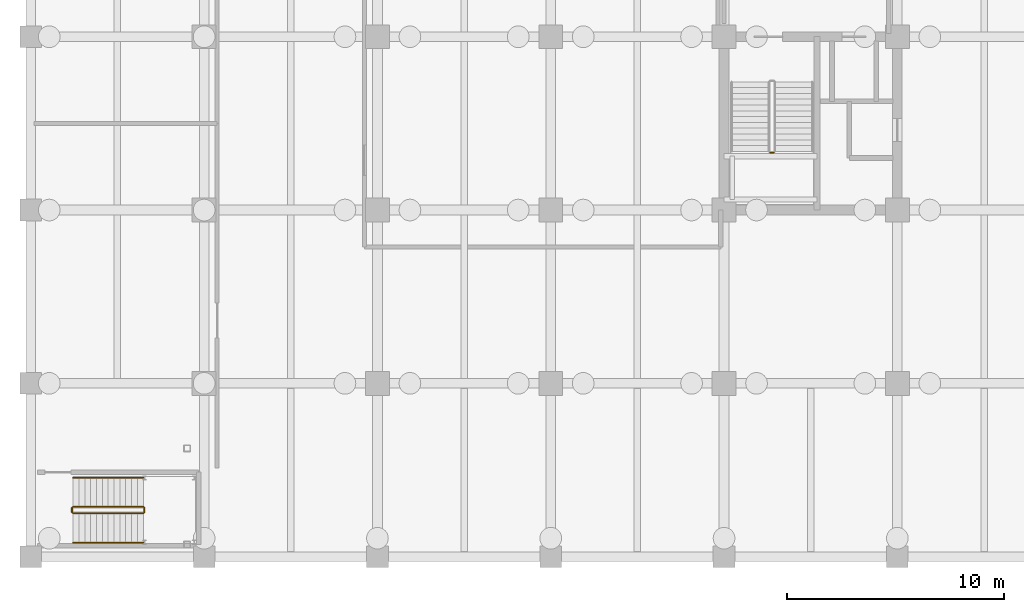
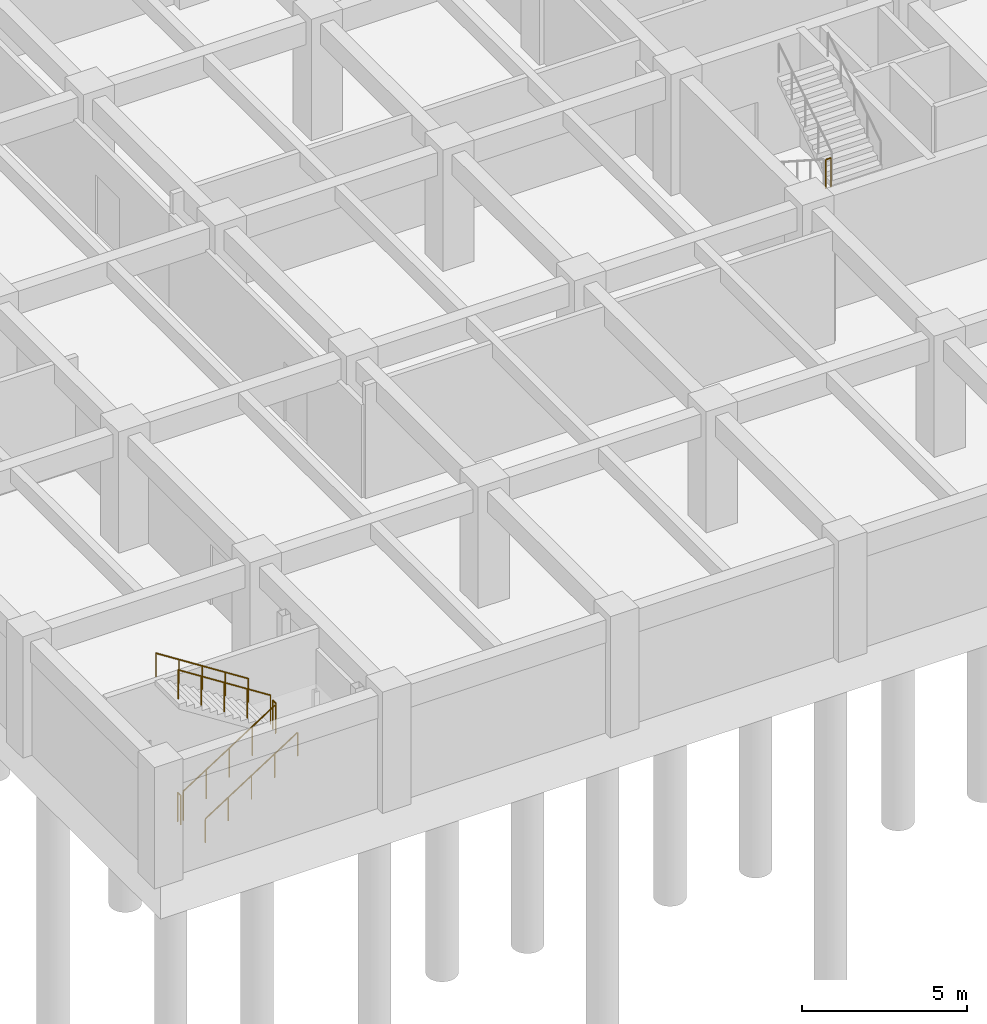
# One storey, part 12 of 15: 7 railings.
"""IFC4 building model written with IfcOpenShell, lengths in metres."""

from ifc_helpers import new_model, si_unit, direction, frame, origin, origin_2d, place, context, subcontext, project, spatial, circle, extrude, material, type_object, element, save


model = new_model("IFC4")

# Units and contexts
model_context = context("Model", 3, precision=1e-05, world=origin(), true_north=direction((0.0, 1.0)))
body_context = subcontext(model_context, "Body", "Model", "MODEL_VIEW")
ifc_project = project(units=[si_unit("LENGTHUNIT", "METRE"), si_unit("AREAUNIT", "SQUARE_METRE"), si_unit("VOLUMEUNIT", "CUBIC_METRE"), si_unit("PLANEANGLEUNIT", "RADIAN"), si_unit("MASSUNIT", "GRAM", prefix="KILO")], contexts=[model_context])

# Site, building, storey
site_placement = place(None, origin())
site = spatial("IfcSite", under=ifc_project, at=site_placement, CompositionType="ELEMENT")
building_placement = place(site_placement, origin())
building = spatial("IfcBuilding", under=site, at=building_placement, Name="Canggui Botanical Conservatory", CompositionType="ELEMENT")
storey_placement = place(building_placement, frame((0.0, 0.0, -9.0)))
storey = spatial("IfcBuildingStorey", under=building, at=storey_placement, Name="B2", CompositionType="ELEMENT", Elevation=-9.0)

# Railings
ifc_material = material(Name="Stainless Steel 304", Category="steel")
railing_type_1 = type_object("IfcRailingType", Name="RAIL-GUARD-1100", PredefinedType="BALUSTRADE", material=ifc_material)
railing_1_placement = place(storey_placement, frame((156.1201171875, 44.654052734375, 2.25)))
element("IfcRailing", 1, at=railing_1_placement, inside=storey, type_object=railing_type_1, Name="B2 ST-T1 stair guard 2", PredefinedType="BALUSTRADE", context=body_context, shape_type="SweptSolid", body=[
    extrude(circle(Radius=0.02392578125, at=origin_2d()), frame((0.0, 0.0, 1.076171875), z_axis=(1.0, 0.0, 0.0), x_axis=(0.0, 1.0, 0.0)), (0.0, 0.0, 1.0), 0.179931640625),
    extrude(circle(Radius=0.02099609375, at=origin_2d()), origin(), (0.0, 0.0, 1.0), 1.052001953125),
    extrude(circle(Radius=0.02099609375, at=origin_2d()), frame((0.179931640625, 0.0, 0.0)), (0.0, 0.0, 1.0), 1.052001953125),
])
railing_2_placement = place(storey_placement, frame((123.949951171875, 28.0, 0.173095703125)))
element("IfcRailing", 2, at=railing_2_placement, inside=storey, type_object=railing_type_1, Name="B2 ST-G1 stair guard 1", PredefinedType="BALUSTRADE", context=body_context, shape_type="SweptSolid", body=[
    extrude(circle(Radius=0.02392578125, at=origin_2d()), frame((0.0, 0.0, 1.076171875), z_axis=(0.841880617004, 0.0, 0.539663808971), x_axis=(0.0, 1.0, 0.0)), (0.0, 0.0, 1.0), 3.8486328125),
    extrude(circle(Radius=0.02099609375, at=origin_2d()), origin(), (0.0, 0.0, 1.0), 1.052001953125),
    extrude(circle(Radius=0.02099609375, at=origin_2d()), frame((0.81005859375, 0.0, 0.519287109375)), (0.0, 0.0, 1.0), 1.052001953125),
    extrude(circle(Radius=0.02099609375, at=origin_2d()), frame((1.6201171875, 0.0, 1.03857421875)), (0.0, 0.0, 1.0), 1.052001953125),
    extrude(circle(Radius=0.02099609375, at=origin_2d()), frame((2.429931640625, 0.0, 1.5576171875)), (0.0, 0.0, 1.0), 1.052001953125),
    extrude(circle(Radius=0.02099609375, at=origin_2d()), frame((3.239990234375, 0.0, 2.076904296875)), (0.0, 0.0, 1.0), 1.052001953125),
])
railing_3_placement = place(storey_placement, frame((127.239990234375, 28.050048828125, 2.25)))
element("IfcRailing", 3, at=railing_3_placement, inside=storey, type_object=railing_type_1, Name="B2 ST-G1 stair guard 2", PredefinedType="BALUSTRADE", context=body_context, shape_type="SweptSolid", body=[
    extrude(circle(Radius=0.02392578125, at=origin_2d()), frame((0.0, 0.0, 1.076171875), z_axis=(0.0, 1.0, 0.0), x_axis=(-1.0, 0.0, 0.0)), (0.0, 0.0, 1.0), 0.199951171875),
    extrude(circle(Radius=0.02099609375, at=origin_2d()), origin(), (0.0, 0.0, 1.0), 1.052001953125),
    extrude(circle(Radius=0.02099609375, at=origin_2d()), frame((0.0, 0.199951171875, 0.0)), (0.0, 0.0, 1.0), 1.052001953125),
])
railing_4_placement = place(storey_placement, frame((127.18994140625, 28.300048828125, 2.423095703125)))
element("IfcRailing", 4, at=railing_4_placement, inside=storey, type_object=railing_type_1, Name="B2 ST-G1 stair guard 3", PredefinedType="BALUSTRADE", context=body_context, shape_type="SweptSolid", body=[
    extrude(circle(Radius=0.02392578125, at=origin_2d()), frame((0.0, 0.0, 1.076171875), z_axis=(-0.841880617004, 0.0, 0.539663808971), x_axis=(0.0, -1.0, 0.0)), (0.0, 0.0, 1.0), 3.8486328125),
    extrude(circle(Radius=0.02099609375, at=origin_2d()), origin(), (0.0, 0.0, 1.0), 1.052001953125),
    extrude(circle(Radius=0.02099609375, at=origin_2d()), frame((-0.81005859375, 0.0, 0.519287109375)), (0.0, 0.0, 1.0), 1.052001953125),
    extrude(circle(Radius=0.02099609375, at=origin_2d()), frame((-1.6201171875, 0.0, 1.03857421875)), (0.0, 0.0, 1.0), 1.052001953125),
    extrude(circle(Radius=0.02099609375, at=origin_2d()), frame((-2.429931640625, 0.0, 1.5576171875)), (0.0, 0.0, 1.0), 1.052001953125),
    extrude(circle(Radius=0.02099609375, at=origin_2d()), frame((-3.239990234375, 0.0, 2.076904296875)), (0.0, 0.0, 1.0), 1.052001953125),
])
railing_5_placement = place(storey_placement, frame((123.89990234375, 28.050048828125, 0.0)))
element("IfcRailing", 5, at=railing_5_placement, inside=storey, type_object=railing_type_1, Name="B2 ST-G1 stair guard 4", PredefinedType="BALUSTRADE", context=body_context, shape_type="SweptSolid", body=[
    extrude(circle(Radius=0.02392578125, at=origin_2d()), frame((0.0, 0.0, 1.076171875), z_axis=(0.0, 1.0, 0.0), x_axis=(-1.0, 0.0, 0.0)), (0.0, 0.0, 1.0), 0.199951171875),
    extrude(circle(Radius=0.02099609375, at=origin_2d()), origin(), (0.0, 0.0, 1.0), 1.052001953125),
    extrude(circle(Radius=0.02099609375, at=origin_2d()), frame((0.0, 0.199951171875, 0.0)), (0.0, 0.0, 1.0), 1.052001953125),
])
railing_type_2 = type_object("IfcRailingType", Name="RAIL-HAND-900", PredefinedType="HANDRAIL", material=ifc_material)
railing_6_placement = place(storey_placement, frame((123.949951171875, 26.64990234375, 0.173095703125)))
element("IfcRailing", 6, at=railing_6_placement, inside=storey, type_object=railing_type_2, Name="B2 ST-G1 stair handrail 1", PredefinedType="HANDRAIL", context=body_context, shape_type="SweptSolid", body=[
    extrude(circle(Radius=0.02392578125, at=origin_2d()), frame((0.0, 0.0, 0.8759765625), z_axis=(0.841880617004, 0.0, 0.539663808971), x_axis=(0.0, 1.0, 0.0)), (0.0, 0.0, 1.0), 3.8486328125),
    extrude(circle(Radius=0.02099609375, at=origin_2d()), origin(), (0.0, 0.0, 1.0), 0.851806640625),
    extrude(circle(Radius=0.02099609375, at=origin_2d()), frame((0.81005859375, 0.0, 0.519287109375)), (0.0, 0.0, 1.0), 0.851806640625),
    extrude(circle(Radius=0.02099609375, at=origin_2d()), frame((1.6201171875, 0.0, 1.03857421875)), (0.0, 0.0, 1.0), 0.851806640625),
    extrude(circle(Radius=0.02099609375, at=origin_2d()), frame((2.429931640625, 0.0, 1.5576171875)), (0.0, 0.0, 1.0), 0.851806640625),
    extrude(circle(Radius=0.02099609375, at=origin_2d()), frame((3.239990234375, 0.0, 2.076904296875)), (0.0, 0.0, 1.0), 0.851806640625),
])
railing_7_placement = place(storey_placement, frame((127.18994140625, 29.64990234375, 2.423095703125)))
element("IfcRailing", 7, at=railing_7_placement, inside=storey, type_object=railing_type_2, Name="B2 ST-G1 stair handrail 2", PredefinedType="HANDRAIL", context=body_context, shape_type="SweptSolid", body=[
    extrude(circle(Radius=0.02392578125, at=origin_2d()), frame((0.0, 0.0, 0.8759765625), z_axis=(-0.841880617004, 0.0, 0.539663808971), x_axis=(0.0, -1.0, 0.0)), (0.0, 0.0, 1.0), 3.8486328125),
    extrude(circle(Radius=0.02099609375, at=origin_2d()), origin(), (0.0, 0.0, 1.0), 0.851806640625),
    extrude(circle(Radius=0.02099609375, at=origin_2d()), frame((-0.81005859375, 0.0, 0.519287109375)), (0.0, 0.0, 1.0), 0.851806640625),
    extrude(circle(Radius=0.02099609375, at=origin_2d()), frame((-1.6201171875, 0.0, 1.03857421875)), (0.0, 0.0, 1.0), 0.851806640625),
    extrude(circle(Radius=0.02099609375, at=origin_2d()), frame((-2.429931640625, 0.0, 1.5576171875)), (0.0, 0.0, 1.0), 0.851806640625),
    extrude(circle(Radius=0.02099609375, at=origin_2d()), frame((-3.239990234375, 0.0, 2.076904296875)), (0.0, 0.0, 1.0), 0.851806640625),
])

save(model, "model.ifc")
